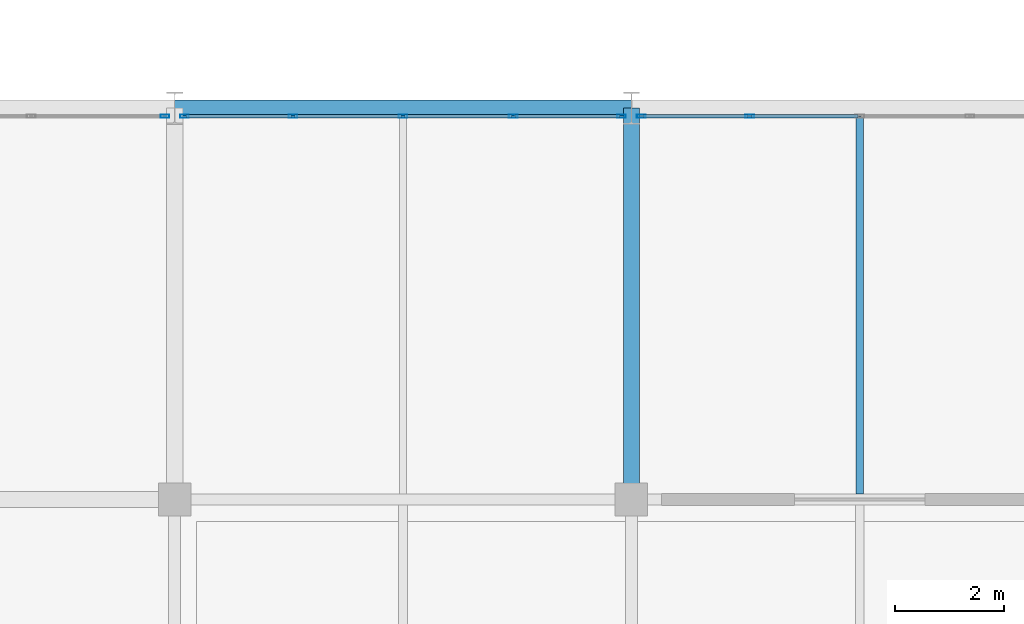
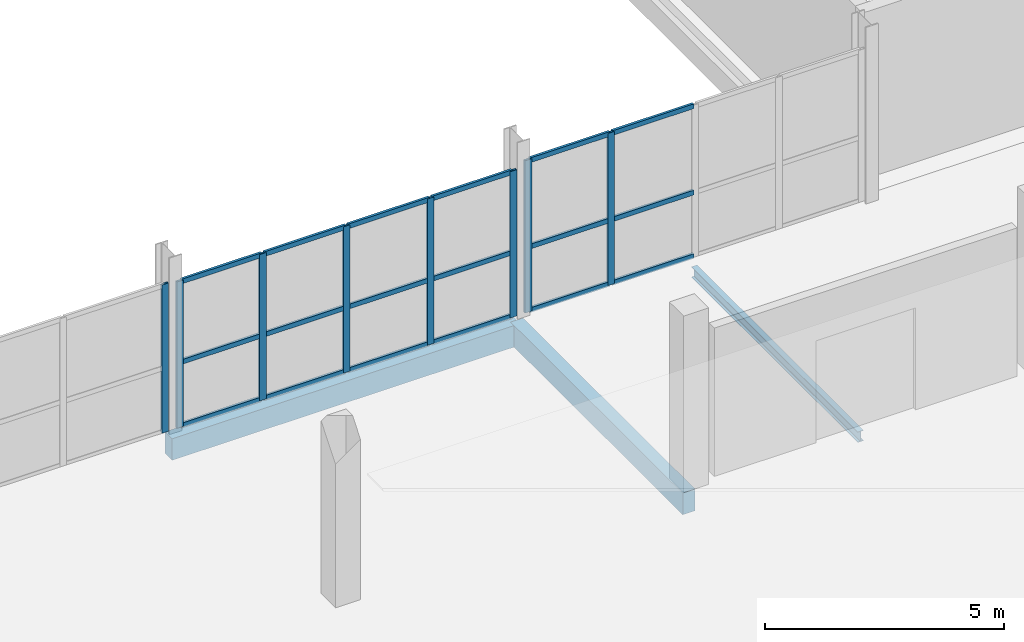
# One storey, part 58 of 130: 26 members, 3 beams, 3 elements without a shape of their own.
"""IFC4 building model written with IfcOpenShell, lengths in metres."""

from ifc_helpers import new_model, si_unit, direction, frame, origin, origin_2d, place, context, subcontext, project, spatial, rectangle, hollow_rectangle, i_section, extrude, material, material_profile, profile_set, type_object, element, aggregate, save


model = new_model("IFC4")

# Units and contexts
model_context = context("Model", 3, precision=1e-05, world=origin(), true_north=direction((0.0, 1.0)))
body_context = subcontext(model_context, "Body", "Model", "MODEL_VIEW")
ifc_project = project(units=[si_unit("LENGTHUNIT", "METRE"), si_unit("AREAUNIT", "SQUARE_METRE"), si_unit("VOLUMEUNIT", "CUBIC_METRE"), si_unit("PLANEANGLEUNIT", "RADIAN"), si_unit("MASSUNIT", "GRAM", prefix="KILO")], contexts=[model_context])

# Site, building, storey
site_placement = place(None, origin())
site = spatial("IfcSite", under=ifc_project, at=site_placement, CompositionType="ELEMENT")
building_placement = place(site_placement, origin())
building = spatial("IfcBuilding", under=site, at=building_placement, Name="Veltarok Museum of Natural Sciences", CompositionType="ELEMENT")
storey_placement = place(building_placement, frame((0.0, 0.0, 12.89990234375)))
storey = spatial("IfcBuildingStorey", under=building, at=storey_placement, Name="L02", CompositionType="ELEMENT", Elevation=12.89990234375)

# Curtain wall, members
ifc_material_1 = material(Name="Low-iron triple insulated glass", Category="glass")
curtain_wall_type_1 = type_object("IfcCurtainWallType", Name="Curtain Wall System CW-V5CN-L02-3-810x373 (CW-V5CN L02 810x373cm)", PredefinedType="NOTDEFINED", material=ifc_material_1)
curtain_wall_1_placement = place(storey_placement, origin())
curtain_wall_1 = element("IfcCurtainWall", 1, at=curtain_wall_1_placement, inside=storey, type_object=curtain_wall_type_1, Name="Curtain Wall CW-V5CN-L02-3-810x373 CW-0191", PredefinedType="NOTDEFINED")
ifc_material_2 = material(Name="Thermally broken anodised aluminium", Category="aluminium")
ifc_material_profile_1 = material_profile(ifc_material_2, hollow_rectangle(XDim=0.06005859375, YDim=0.1201171875, WallThickness=0.0048828125, at=origin_2d()), Name="CW TRANSOM 60x120x5")
ifc_profile_set_1 = profile_set([ifc_material_profile_1], Name="Thermally broken anodised aluminium")
member_type_1 = type_object("IfcMemberType", Name="Curtain Wall Horizontal Transom 60x120x5", PredefinedType="USERDEFINED", material=ifc_profile_set_1)
member_1_placement = place(storey_placement, frame((123.7900390625, 26.25, 0.028076171875), z_axis=(-1.0, 0.0, 0.0), x_axis=(0.0, -1.0, 0.0)))
member_1 = element("IfcMember", 2, at=member_1_placement, type_object=member_type_1, Name="CW-V5CN-L02-3-810x373 transom 1.1", ObjectType="TRANSOM", PredefinedType="USERDEFINED", context=body_context, shape_type="SweptSolid", body=[
    extrude(hollow_rectangle(XDim=0.06005859375, YDim=0.1201171875, WallThickness=0.0048828125, at=origin_2d()), origin(), (0.0, 0.0, 1.0), 1.93505859375),
])
member_2_placement = place(storey_placement, frame((123.7900390625, 26.25, 1.648193359375), z_axis=(-1.0, 0.0, 0.0), x_axis=(0.0, -1.0, 0.0)))
member_2 = element("IfcMember", 3, at=member_2_placement, type_object=member_type_1, Name="CW-V5CN-L02-3-810x373 transom 1.2", ObjectType="TRANSOM", PredefinedType="USERDEFINED", context=body_context, shape_type="SweptSolid", body=[
    extrude(hollow_rectangle(XDim=0.06005859375, YDim=0.1201171875, WallThickness=0.0048828125, at=origin_2d()), origin(), (0.0, 0.0, 1.0), 1.93505859375),
])
member_3_placement = place(storey_placement, frame((123.7900390625, 26.25, 3.7001953125), z_axis=(-1.0, 0.0, 0.0), x_axis=(0.0, -1.0, 0.0)))
member_3 = element("IfcMember", 4, at=member_3_placement, type_object=member_type_1, Name="CW-V5CN-L02-3-810x373 transom 1.3", ObjectType="TRANSOM", PredefinedType="USERDEFINED", context=body_context, shape_type="SweptSolid", body=[
    extrude(hollow_rectangle(XDim=0.06005859375, YDim=0.1201171875, WallThickness=0.0048828125, at=origin_2d()), origin(), (0.0, 0.0, 1.0), 1.93505859375),
])
member_4_placement = place(storey_placement, frame((121.794921875, 26.25, 0.028076171875), z_axis=(-1.0, 0.0, 0.0), x_axis=(0.0, -1.0, 0.0)))
member_4 = element("IfcMember", 5, at=member_4_placement, type_object=member_type_1, Name="CW-V5CN-L02-3-810x373 transom 2.1", ObjectType="TRANSOM", PredefinedType="USERDEFINED", context=body_context, shape_type="SweptSolid", body=[
    extrude(hollow_rectangle(XDim=0.06005859375, YDim=0.1201171875, WallThickness=0.0048828125, at=origin_2d()), origin(), (0.0, 0.0, 1.0), 1.96484375),
])
member_5_placement = place(storey_placement, frame((121.794921875, 26.25, 1.648193359375), z_axis=(-1.0, 0.0, 0.0), x_axis=(0.0, -1.0, 0.0)))
member_5 = element("IfcMember", 6, at=member_5_placement, type_object=member_type_1, Name="CW-V5CN-L02-3-810x373 transom 2.2", ObjectType="TRANSOM", PredefinedType="USERDEFINED", context=body_context, shape_type="SweptSolid", body=[
    extrude(hollow_rectangle(XDim=0.06005859375, YDim=0.1201171875, WallThickness=0.0048828125, at=origin_2d()), origin(), (0.0, 0.0, 1.0), 1.96484375),
])
member_6_placement = place(storey_placement, frame((121.794921875, 26.25, 3.7001953125), z_axis=(-1.0, 0.0, 0.0), x_axis=(0.0, -1.0, 0.0)))
member_6 = element("IfcMember", 7, at=member_6_placement, type_object=member_type_1, Name="CW-V5CN-L02-3-810x373 transom 2.3", ObjectType="TRANSOM", PredefinedType="USERDEFINED", context=body_context, shape_type="SweptSolid", body=[
    extrude(hollow_rectangle(XDim=0.06005859375, YDim=0.1201171875, WallThickness=0.0048828125, at=origin_2d()), origin(), (0.0, 0.0, 1.0), 1.96484375),
])
member_7_placement = place(storey_placement, frame((119.77001953125, 26.25, 0.028076171875), z_axis=(-1.0, 0.0, 0.0), x_axis=(0.0, -1.0, 0.0)))
member_7 = element("IfcMember", 8, at=member_7_placement, type_object=member_type_1, Name="CW-V5CN-L02-3-810x373 transom 3.1", ObjectType="TRANSOM", PredefinedType="USERDEFINED", context=body_context, shape_type="SweptSolid", body=[
    extrude(hollow_rectangle(XDim=0.06005859375, YDim=0.1201171875, WallThickness=0.0048828125, at=origin_2d()), origin(), (0.0, 0.0, 1.0), 1.965087890625),
])
member_8_placement = place(storey_placement, frame((119.77001953125, 26.25, 1.648193359375), z_axis=(-1.0, 0.0, 0.0), x_axis=(0.0, -1.0, 0.0)))
member_8 = element("IfcMember", 9, at=member_8_placement, type_object=member_type_1, Name="CW-V5CN-L02-3-810x373 transom 3.2", ObjectType="TRANSOM", PredefinedType="USERDEFINED", context=body_context, shape_type="SweptSolid", body=[
    extrude(hollow_rectangle(XDim=0.06005859375, YDim=0.1201171875, WallThickness=0.0048828125, at=origin_2d()), origin(), (0.0, 0.0, 1.0), 1.965087890625),
])
member_9_placement = place(storey_placement, frame((119.77001953125, 26.25, 3.7001953125), z_axis=(-1.0, 0.0, 0.0), x_axis=(0.0, -1.0, 0.0)))
member_9 = element("IfcMember", 10, at=member_9_placement, type_object=member_type_1, Name="CW-V5CN-L02-3-810x373 transom 3.3", ObjectType="TRANSOM", PredefinedType="USERDEFINED", context=body_context, shape_type="SweptSolid", body=[
    extrude(hollow_rectangle(XDim=0.06005859375, YDim=0.1201171875, WallThickness=0.0048828125, at=origin_2d()), origin(), (0.0, 0.0, 1.0), 1.965087890625),
])
member_10_placement = place(storey_placement, frame((117.7451171875, 26.25, 0.028076171875), z_axis=(-1.0, 0.0, 0.0), x_axis=(0.0, -1.0, 0.0)))
member_10 = element("IfcMember", 11, at=member_10_placement, type_object=member_type_1, Name="CW-V5CN-L02-3-810x373 transom 4.1", ObjectType="TRANSOM", PredefinedType="USERDEFINED", context=body_context, shape_type="SweptSolid", body=[
    extrude(hollow_rectangle(XDim=0.06005859375, YDim=0.1201171875, WallThickness=0.0048828125, at=origin_2d()), origin(), (0.0, 0.0, 1.0), 1.93505859375),
])
member_11_placement = place(storey_placement, frame((117.7451171875, 26.25, 1.648193359375), z_axis=(-1.0, 0.0, 0.0), x_axis=(0.0, -1.0, 0.0)))
member_11 = element("IfcMember", 12, at=member_11_placement, type_object=member_type_1, Name="CW-V5CN-L02-3-810x373 transom 4.2", ObjectType="TRANSOM", PredefinedType="USERDEFINED", context=body_context, shape_type="SweptSolid", body=[
    extrude(hollow_rectangle(XDim=0.06005859375, YDim=0.1201171875, WallThickness=0.0048828125, at=origin_2d()), origin(), (0.0, 0.0, 1.0), 1.93505859375),
])
member_12_placement = place(storey_placement, frame((117.7451171875, 26.25, 3.7001953125), z_axis=(-1.0, 0.0, 0.0), x_axis=(0.0, -1.0, 0.0)))
member_12 = element("IfcMember", 13, at=member_12_placement, type_object=member_type_1, Name="CW-V5CN-L02-3-810x373 transom 4.3", ObjectType="TRANSOM", PredefinedType="USERDEFINED", context=body_context, shape_type="SweptSolid", body=[
    extrude(hollow_rectangle(XDim=0.06005859375, YDim=0.1201171875, WallThickness=0.0048828125, at=origin_2d()), origin(), (0.0, 0.0, 1.0), 1.93505859375),
])

curtain_wall_type_2 = type_object("IfcCurtainWallType", Name="Curtain Wall System CW-V5CN-L02-0-810x388 (CW-V5CN L02 810x388cm)", PredefinedType="NOTDEFINED", material=ifc_material_1)
curtain_wall_2_placement = place(storey_placement, origin())
curtain_wall_2 = element("IfcCurtainWall", 14, at=curtain_wall_2_placement, inside=storey, type_object=curtain_wall_type_2, Name="Curtain Wall CW-V5CN-L02-0-810x388 CW-0192", PredefinedType="NOTDEFINED")
member_13_placement = place(storey_placement, frame((128.169921875, 26.25, 0.028076171875), z_axis=(-1.0, 0.0, 0.0), x_axis=(0.0, -1.0, 0.0)))
member_13 = element("IfcMember", 15, at=member_13_placement, type_object=member_type_1, Name="CW-V5CN-L02-0-810x388 transom 3.1", ObjectType="TRANSOM", PredefinedType="USERDEFINED", context=body_context, shape_type="SweptSolid", body=[
    extrude(hollow_rectangle(XDim=0.06005859375, YDim=0.1201171875, WallThickness=0.0048828125, at=origin_2d()), origin(), (0.0, 0.0, 1.0), 1.96484375),
])
member_14_placement = place(storey_placement, frame((128.169921875, 26.25, 1.648193359375), z_axis=(-1.0, 0.0, 0.0), x_axis=(0.0, -1.0, 0.0)))
member_14 = element("IfcMember", 16, at=member_14_placement, type_object=member_type_1, Name="CW-V5CN-L02-0-810x388 transom 3.2", ObjectType="TRANSOM", PredefinedType="USERDEFINED", context=body_context, shape_type="SweptSolid", body=[
    extrude(hollow_rectangle(XDim=0.06005859375, YDim=0.1201171875, WallThickness=0.0048828125, at=origin_2d()), origin(), (0.0, 0.0, 1.0), 1.96484375),
])
member_15_placement = place(storey_placement, frame((128.169921875, 26.25, 3.85009765625), z_axis=(-1.0, 0.0, 0.0), x_axis=(0.0, -1.0, 0.0)))
member_15 = element("IfcMember", 17, at=member_15_placement, type_object=member_type_1, Name="CW-V5CN-L02-0-810x388 transom 3.3", ObjectType="TRANSOM", PredefinedType="USERDEFINED", context=body_context, shape_type="SweptSolid", body=[
    extrude(hollow_rectangle(XDim=0.06005859375, YDim=0.1201171875, WallThickness=0.0048828125, at=origin_2d()), origin(), (0.0, 0.0, 1.0), 1.96484375),
])
member_16_placement = place(storey_placement, frame((126.14501953125, 26.25, 0.028076171875), z_axis=(-1.0, 0.0, 0.0), x_axis=(0.0, -1.0, 0.0)))
member_16 = element("IfcMember", 18, at=member_16_placement, type_object=member_type_1, Name="CW-V5CN-L02-0-810x388 transom 4.1", ObjectType="TRANSOM", PredefinedType="USERDEFINED", context=body_context, shape_type="SweptSolid", body=[
    extrude(hollow_rectangle(XDim=0.06005859375, YDim=0.1201171875, WallThickness=0.0048828125, at=origin_2d()), origin(), (0.0, 0.0, 1.0), 1.93505859375),
])
member_17_placement = place(storey_placement, frame((126.14501953125, 26.25, 1.648193359375), z_axis=(-1.0, 0.0, 0.0), x_axis=(0.0, -1.0, 0.0)))
member_17 = element("IfcMember", 19, at=member_17_placement, type_object=member_type_1, Name="CW-V5CN-L02-0-810x388 transom 4.2", ObjectType="TRANSOM", PredefinedType="USERDEFINED", context=body_context, shape_type="SweptSolid", body=[
    extrude(hollow_rectangle(XDim=0.06005859375, YDim=0.1201171875, WallThickness=0.0048828125, at=origin_2d()), origin(), (0.0, 0.0, 1.0), 1.93505859375),
])
member_18_placement = place(storey_placement, frame((126.14501953125, 26.25, 3.85009765625), z_axis=(-1.0, 0.0, 0.0), x_axis=(0.0, -1.0, 0.0)))
member_18 = element("IfcMember", 20, at=member_18_placement, type_object=member_type_1, Name="CW-V5CN-L02-0-810x388 transom 4.3", ObjectType="TRANSOM", PredefinedType="USERDEFINED", context=body_context, shape_type="SweptSolid", body=[
    extrude(hollow_rectangle(XDim=0.06005859375, YDim=0.1201171875, WallThickness=0.0048828125, at=origin_2d()), origin(), (0.0, 0.0, 1.0), 1.93505859375),
])

# Curtain wall, member
curtain_wall_type_3 = type_object("IfcCurtainWallType", Name="Curtain Wall System CW-V5CN-L02-2-747x378 (CW-V5CN L02 747x378cm)", PredefinedType="NOTDEFINED", material=ifc_material_1)
curtain_wall_3_placement = place(storey_placement, origin())
curtain_wall_3 = element("IfcCurtainWall", 21, at=curtain_wall_3_placement, inside=storey, type_object=curtain_wall_type_3, Name="Curtain Wall CW-V5CN-L02-2-747x378 CW-0190", PredefinedType="NOTDEFINED")
ifc_material_profile_2 = material_profile(ifc_material_2, hollow_rectangle(XDim=0.06005859375, YDim=0.159912109375, WallThickness=0.0048828125, at=origin_2d()), Name="CW MULLION 60x160x5")
ifc_profile_set_2 = profile_set([ifc_material_profile_2], Name="Thermally broken anodised aluminium")
member_type_2 = type_object("IfcMemberType", Name="Curtain Wall Vertical Mullion 60x160x5", PredefinedType="MULLION", material=ifc_profile_set_2)
member_19_placement = place(storey_placement, frame((115.419921875, 26.25, -0.001953125), z_axis=(0.0, 0.0, 1.0), x_axis=(0.0, -1.0, 0.0)))
member_19 = element("IfcMember", 22, at=member_19_placement, type_object=member_type_2, Name="CW-V5CN-L02-2-747x378 mullion 1", PredefinedType="MULLION", context=body_context, shape_type="SweptSolid", body=[
    extrude(hollow_rectangle(XDim=0.06005859375, YDim=0.159912109375, WallThickness=0.0048828125, at=origin_2d()), origin(), (0.0, 0.0, 1.0), 3.781982421875),
])
aggregate(curtain_wall_3, [member_19])

# Member
member_20_placement = place(storey_placement, frame((123.820068359375, 26.25, -0.001953125), z_axis=(0.0, 0.0, 1.0), x_axis=(0.0, -1.0, 0.0)))
member_20 = element("IfcMember", 23, at=member_20_placement, type_object=member_type_2, Name="CW-V5CN-L02-3-810x373 mullion 1", PredefinedType="MULLION", context=body_context, shape_type="SweptSolid", body=[
    extrude(hollow_rectangle(XDim=0.06005859375, YDim=0.159912109375, WallThickness=0.0048828125, at=origin_2d()), origin(), (0.0, 0.0, 1.0), 3.73193359375),
])

member_21_placement = place(storey_placement, frame((121.824951171875, 26.25, -0.001953125), z_axis=(0.0, 0.0, 1.0), x_axis=(0.0, -1.0, 0.0)))
member_21 = element("IfcMember", 24, at=member_21_placement, type_object=member_type_2, Name="CW-V5CN-L02-3-810x373 mullion 2", PredefinedType="MULLION", context=body_context, shape_type="SweptSolid", body=[
    extrude(hollow_rectangle(XDim=0.06005859375, YDim=0.159912109375, WallThickness=0.0048828125, at=origin_2d()), origin(), (0.0, 0.0, 1.0), 3.73193359375),
])

member_22_placement = place(storey_placement, frame((119.800048828125, 26.25, -0.001953125), z_axis=(0.0, 0.0, 1.0), x_axis=(0.0, -1.0, 0.0)))
member_22 = element("IfcMember", 25, at=member_22_placement, type_object=member_type_2, Name="CW-V5CN-L02-3-810x373 mullion 3", PredefinedType="MULLION", context=body_context, shape_type="SweptSolid", body=[
    extrude(hollow_rectangle(XDim=0.06005859375, YDim=0.159912109375, WallThickness=0.0048828125, at=origin_2d()), origin(), (0.0, 0.0, 1.0), 3.73193359375),
])

member_23_placement = place(storey_placement, frame((117.77490234375, 26.25, -0.001953125), z_axis=(0.0, 0.0, 1.0), x_axis=(0.0, -1.0, 0.0)))
member_23 = element("IfcMember", 26, at=member_23_placement, type_object=member_type_2, Name="CW-V5CN-L02-3-810x373 mullion 4", PredefinedType="MULLION", context=body_context, shape_type="SweptSolid", body=[
    extrude(hollow_rectangle(XDim=0.06005859375, YDim=0.159912109375, WallThickness=0.0048828125, at=origin_2d()), origin(), (0.0, 0.0, 1.0), 3.73193359375),
])

member_24_placement = place(storey_placement, frame((115.780029296875, 26.25, -0.001953125), z_axis=(0.0, 0.0, 1.0), x_axis=(0.0, -1.0, 0.0)))
member_24 = element("IfcMember", 27, at=member_24_placement, type_object=member_type_2, Name="CW-V5CN-L02-3-810x373 mullion 5", PredefinedType="MULLION", context=body_context, shape_type="SweptSolid", body=[
    extrude(hollow_rectangle(XDim=0.06005859375, YDim=0.159912109375, WallThickness=0.0048828125, at=origin_2d()), origin(), (0.0, 0.0, 1.0), 3.73193359375),
])

aggregate(curtain_wall_1, [member_20, member_21, member_22, member_23, member_24, member_1, member_2, member_3, member_4, member_5, member_6, member_7, member_8, member_9, member_10, member_11, member_12])

member_25_placement = place(storey_placement, frame((126.175048828125, 26.25, -0.001953125), z_axis=(0.0, 0.0, 1.0), x_axis=(0.0, -1.0, 0.0)))
member_25 = element("IfcMember", 28, at=member_25_placement, type_object=member_type_2, Name="CW-V5CN-L02-0-810x388 mullion 4", PredefinedType="MULLION", context=body_context, shape_type="SweptSolid", body=[
    extrude(hollow_rectangle(XDim=0.06005859375, YDim=0.159912109375, WallThickness=0.0048828125, at=origin_2d()), origin(), (0.0, 0.0, 1.0), 3.882080078125),
])

member_26_placement = place(storey_placement, frame((124.179931640625, 26.25, -0.001953125), z_axis=(0.0, 0.0, 1.0), x_axis=(0.0, -1.0, 0.0)))
member_26 = element("IfcMember", 29, at=member_26_placement, type_object=member_type_2, Name="CW-V5CN-L02-0-810x388 mullion 5", PredefinedType="MULLION", context=body_context, shape_type="SweptSolid", body=[
    extrude(hollow_rectangle(XDim=0.06005859375, YDim=0.159912109375, WallThickness=0.0048828125, at=origin_2d()), origin(), (0.0, 0.0, 1.0), 3.882080078125),
])

aggregate(curtain_wall_2, [member_25, member_26, member_13, member_14, member_15, member_16, member_17, member_18])

# Beams
ifc_material_3 = material(Name="Precast concrete C40/50", Category="concrete")
ifc_material_profile_3 = material_profile(ifc_material_3, rectangle(XDim=0.300048828125, YDim=0.550048828125, at=origin_2d()), Name="RC 300x550")
ifc_profile_set_3 = profile_set([ifc_material_profile_3], Name="Precast concrete C40/50")
beam_type_1 = type_object("IfcBeamType", Name="East Wing Precast Spandrel RC 300x550", PredefinedType="SPANDREL", material=ifc_profile_set_3)
beam_1_placement = place(storey_placement, frame((115.60009765625, 26.39990234375, -0.52490234375), z_axis=(1.0, 0.0, 0.0), x_axis=(0.0, 1.0, 0.0)))
element("IfcBeam", 30, at=beam_1_placement, inside=storey, type_object=beam_type_1, Name="Beam BM-SP02 L02 14-15/D", PredefinedType="SPANDREL", context=body_context, shape_type="SweptSolid", body=[
    extrude(rectangle(XDim=0.300048828125, YDim=0.550048828125, at=origin_2d()), origin(), (0.0, 0.0, 1.0), 8.39990234375),
])
beam_2_placement = place(storey_placement, frame((124.0, 19.199951171875, -0.52490234375), z_axis=(0.0, 1.0, 0.0), x_axis=(-1.0, 0.0, 0.0)))
element("IfcBeam", 31, at=beam_2_placement, inside=storey, type_object=beam_type_1, Name="Beam BM-SP02 L02 15/C-D", PredefinedType="SPANDREL", context=body_context, shape_type="SweptSolid", body=[
    extrude(rectangle(XDim=0.300048828125, YDim=0.550048828125, at=origin_2d()), origin(), (0.0, 0.0, 1.0), 7.199951171875),
])
ifc_material_4 = material(Name="Steel S355J2", Category="steel")
ifc_material_profile_4 = material_profile(ifc_material_4, i_section(OverallWidth=0.135009765625, OverallDepth=0.27001953125, WebThickness=0.006591796875, FlangeThickness=0.01025390625, FilletRadius=0.014892578125, at=origin_2d()), Name="IPE 270")
ifc_profile_set_4 = profile_set([ifc_material_profile_4], Name="Steel S355J2")
beam_type_2 = type_object("IfcBeamType", Name="Short-Bay Composite Joist IPE 270", PredefinedType="JOIST", material=ifc_profile_set_4)
beam_3_placement = place(storey_placement, frame((128.199951171875, 19.302978515625, -0.385009765625), z_axis=(0.0, 1.0, 0.0), x_axis=(-1.0, 0.0, 0.0)))
element("IfcBeam", 32, at=beam_3_placement, inside=storey, type_object=beam_type_2, Name="Secondary Joist BM-J04 L02 15-16/C-D.1", PredefinedType="JOIST", context=body_context, shape_type="SweptSolid", body=[
    extrude(i_section(OverallWidth=0.135009765625, OverallDepth=0.27001953125, WebThickness=0.006591796875, FlangeThickness=0.01025390625, FilletRadius=0.014892578125, at=origin_2d()), origin(), (0.0, 0.0, 1.0), 6.948974609375),
])

save(model, "model.ifc")
